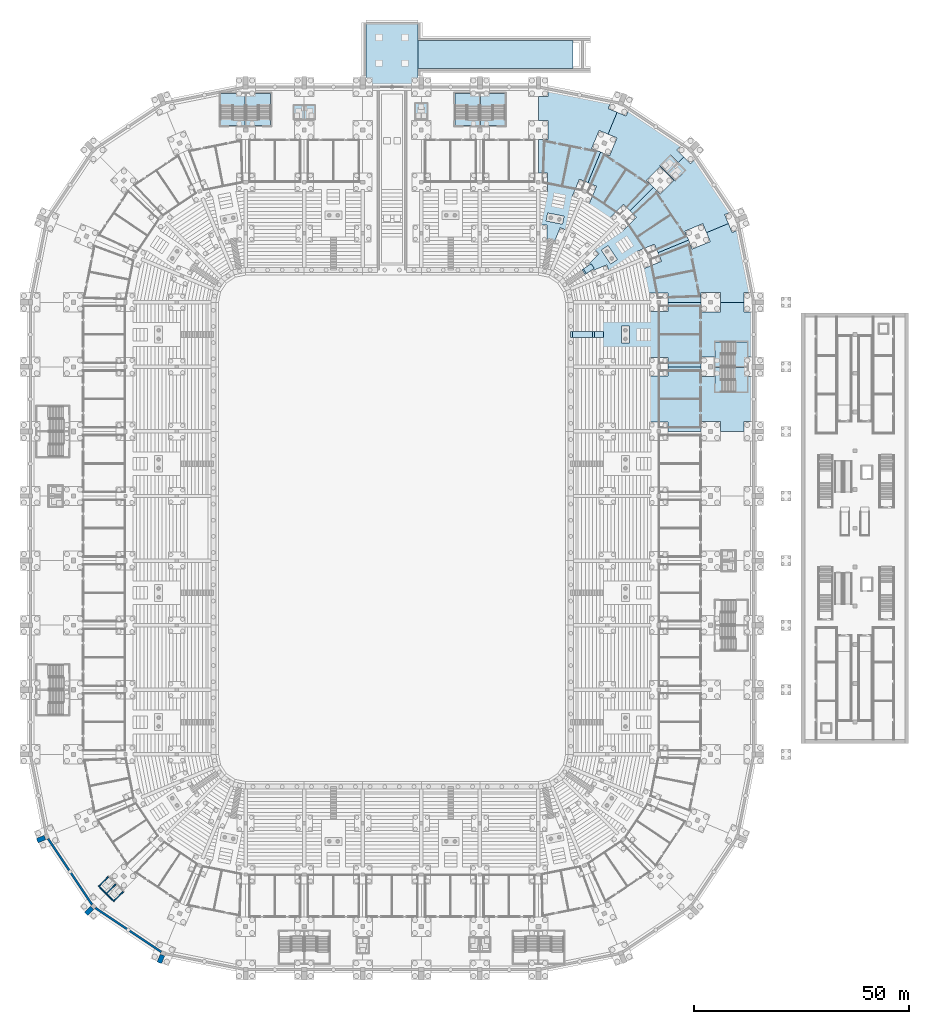
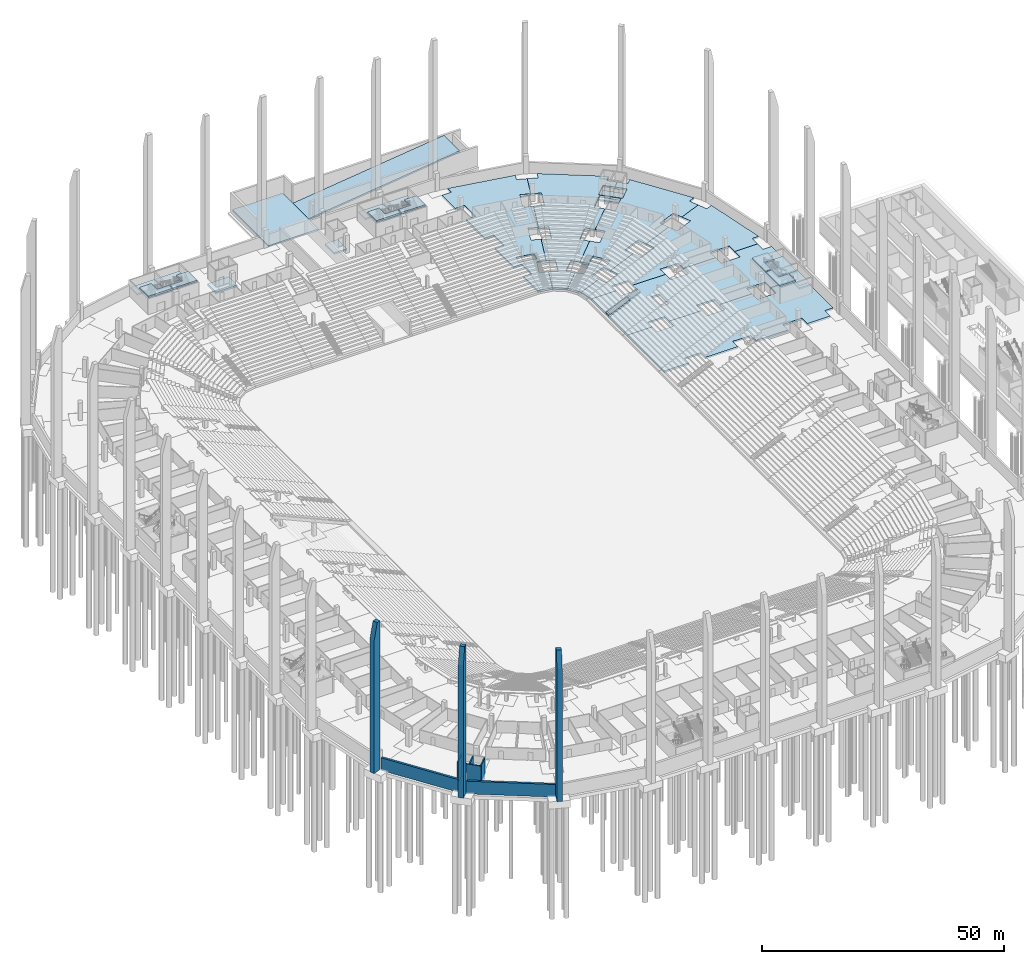
# One storey, part 20 of 115: 26 slabs, 9 walls, 6 elements without a shape of their own.
"""IFC4 building model written with IfcOpenShell, lengths in metres."""

from ifc_helpers import new_model, si_unit, direction, frame, frame_2d, origin, place, context, subcontext, project, spatial, polyline, rectangle, outline, extrude, material, layer, layer_set, type_object, element, aggregate, save


model = new_model("IFC4")

# Units and contexts
model_context = context("Model", 3, precision=1e-05, world=origin(), true_north=direction((0.0, 1.0)))
body_context = subcontext(model_context, "Body", "Model", "MODEL_VIEW")
ifc_project = project(units=[si_unit("LENGTHUNIT", "METRE"), si_unit("AREAUNIT", "SQUARE_METRE"), si_unit("VOLUMEUNIT", "CUBIC_METRE"), si_unit("PLANEANGLEUNIT", "RADIAN"), si_unit("MASSUNIT", "GRAM", prefix="KILO")], contexts=[model_context])

# Site, building, storey
site_placement = place(None, origin())
site = spatial("IfcSite", under=ifc_project, at=site_placement, CompositionType="ELEMENT")
building_placement = place(site_placement, origin())
building = spatial("IfcBuilding", under=site, at=building_placement, Name="Ogive Plaza Stadium", CompositionType="ELEMENT")
storey_placement = place(building_placement, frame((0.0, 0.0, -4.5)))
storey = spatial("IfcBuildingStorey", under=building, at=storey_placement, Name="B1", CompositionType="ELEMENT", Elevation=-4.5)

# Slabs
ifc_material_1 = material(Name="Concrete C40/50", Category="concrete")
ifc_layer_1 = layer(ifc_material_1, 0.75927734375)
ifc_layer_set_1 = layer_set([ifc_layer_1], Name="Concrete C40/50")
ifc_layer_2 = layer(ifc_material_1, 0.449951171875)
ifc_layer_set_2 = layer_set([ifc_layer_2], Name="Concrete C40/50")
slab_type_1 = type_object("IfcSlabType", Name="Aisle stair slab 1300", PredefinedType="USERDEFINED", material=ifc_layer_set_2)
slab_1_placement = place(storey_placement, frame((41.5, 45.0, 4.5), z_axis=(0.0, 0.0, 1.0), x_axis=(1.0, 0.0, 0.0)))
element("IfcSlab", 1, at=slab_1_placement, inside=storey, type_object=slab_type_1, material=ifc_layer_set_1, Name="Aisle stair SA01D slab 1", ObjectType="AISLE STAIR SLAB", PredefinedType="USERDEFINED", context=body_context, shape_type="SweptSolid", body=[
    extrude(outline(polyline([(0.0, -3.375), (0.37158203125, -3.375), (5.10009765625, -1.288818359375), (5.10009765625, -1.699951171875), (5.01220703125, -1.73876953125), (4.8623046875, -1.804931640625), (4.71240234375, -1.87109375), (4.562255859375, -1.937255859375), (4.412353515625, -2.00341796875), (4.26220703125, -2.069580078125), (4.1123046875, -2.1357421875), (3.96240234375, -2.201904296875), (3.812255859375, -2.26806640625), (3.662353515625, -2.334228515625), (3.51220703125, -2.400390625), (3.3623046875, -2.466552734375), (3.21240234375, -2.53271484375), (3.062255859375, -2.59912109375), (2.912353515625, -2.665283203125), (2.76220703125, -2.731201171875), (2.6123046875, -2.797607421875), (2.46240234375, -2.86376953125), (2.312255859375, -2.929931640625), (2.162353515625, -2.99609375), (2.01220703125, -3.062255859375), (1.8623046875, -3.12841796875), (1.71240234375, -3.194580078125), (1.562255859375, -3.2607421875), (1.412353515625, -3.326904296875), (1.26220703125, -3.39306640625), (1.1123046875, -3.459228515625), (0.96240234375, -3.525390625), (0.812255859375, -3.591552734375), (0.662353515625, -3.65771484375), (0.60009765625, -3.685302734375), (0.60009765625, -3.949951171875), (0.51220703125, -3.949951171875), (0.3623046875, -3.949951171875), (0.21240234375, -3.949951171875), (0.0, -3.375)])), frame((0.0, 0.64990234375, 0.0), z_axis=(0.0, -1.0, 0.0), x_axis=(1.0, 0.0, 0.0)), (0.0, 0.0, 1.0), 1.300048828125),
])
ifc_layer_3 = layer(ifc_material_1, 0.5380859375)
ifc_layer_set_3 = layer_set([ifc_layer_3], Name="Concrete C40/50")
for number, where, z_axis, x_axis, name in (
    (2, (46.60009765625, 45.0, 4.5), (0.0, 0.0, 1.0), (1.0, 0.0, 0.0), "Aisle stair SA01D slab 2"),
    (3, (44.4765625, 59.500244140625, 4.5), (0.0, 0.0, 1.0), (0.831469612303, 0.55557023302, 0.0), "Aisle stair SA39D slab 2"),
):
    element("IfcSlab", number, at=place(storey_placement, frame(where, z_axis=z_axis, x_axis=x_axis)), inside=storey, type_object=slab_type_1, material=ifc_layer_set_3, Name=name, ObjectType="AISLE STAIR SLAB", PredefinedType="USERDEFINED", context=body_context, shape_type="SweptSolid", body=[
        extrude(outline(polyline([(0.0, -1.125), (0.37158203125, -1.125), (2.550048828125, -0.163818359375), (2.550048828125, -0.574951171875), (2.39990234375, -0.64111328125), (2.25, -0.70751953125), (2.10009765625, -0.7734375), (1.949951171875, -0.839599609375), (1.800048828125, -0.906005859375), (1.64990234375, -0.97216796875), (1.5, -1.0380859375), (1.35009765625, -1.1044921875), (1.199951171875, -1.170654296875), (1.050048828125, -1.23681640625), (0.89990234375, -1.302978515625), (0.75, -1.369140625), (0.60009765625, -1.435302734375), (0.449951171875, -1.50146484375), (0.300048828125, -1.567626953125), (0.14990234375, -1.6337890625), (0.0, -1.699951171875), (0.0, -1.125)])), frame((0.0, 0.64990234375, 0.0), z_axis=(0.0, -1.0, 0.0), x_axis=(1.0, 0.0, 0.0)), (0.0, 0.0, 1.0), 1.300048828125),
    ])
ifc_material_2 = material(Name="Concrete C40/50", Category="concrete")
ifc_layer_4 = layer(ifc_material_2, 0.39990234375)
ifc_layer_set_4 = layer_set([ifc_layer_4], Name="Concrete C40/50")
slab_type_2 = type_object("IfcSlabType", Name="Lift pit slab", PredefinedType="BASESLAB", material=ifc_layer_set_4)
slab_2_placement = place(storey_placement, frame((0.0, 0.0, -1.610107421875)))
element("IfcSlab", 4, at=slab_2_placement, inside=storey, type_object=slab_type_2, Name="Lift pit slab LP33", PredefinedType="BASESLAB", context=body_context, shape_type="SweptSolid", body=[
    extrude(outline(polyline([(-17.824951171875, 94.89990234375), (-17.824951171875, 98.39990234375), (-22.97509765625, 98.39990234375), (-22.97509765625, 94.89990234375), (-17.824951171875, 94.89990234375)])), origin(), (0.0, 0.0, 1.0), 0.41015625),
])
slab_3_placement = place(storey_placement, frame((0.0, 0.0, -1.610107421875)))
element("IfcSlab", 5, at=slab_3_placement, inside=storey, type_object=slab_type_2, Name="Lift pit slab LS35", PredefinedType="BASESLAB", context=body_context, shape_type="SweptSolid", body=[
    extrude(outline(polyline([(8.35009765625, 94.89990234375), (8.35009765625, 98.800048828125), (5.25, 98.800048828125), (5.25, 94.89990234375), (8.35009765625, 94.89990234375)])), origin(), (0.0, 0.0, 1.0), 0.41015625),
])
slab_4_placement = place(storey_placement, frame((0.0, 0.0, -1.610107421875)))
element("IfcSlab", 6, at=slab_4_placement, inside=storey, type_object=slab_type_2, Name="Lift pit slab LP39", PredefinedType="BASESLAB", context=body_context, shape_type="SweptSolid", body=[
    extrude(outline(polyline([(65.80224609375, 80.66064453125), (68.277099609375, 83.135498046875), (64.635498046875, 86.777099609375), (62.16064453125, 84.30224609375), (65.80224609375, 80.66064453125)])), origin(), (0.0, 0.0, 1.0), 0.41015625),
])
ifc_material_3 = material(Name="Concrete C40/50", Category="concrete")
ifc_layer_5 = layer(ifc_material_3, 0.449951171875)
ifc_layer_set_5 = layer_set([ifc_layer_5], Name="Concrete C40/50")
slab_type_3 = type_object("IfcSlabType", Name="RC ground slab 450", PredefinedType="BASESLAB", material=ifc_layer_set_5)
slab_5_placement = place(storey_placement, frame((0.0, 0.0, -0.39990234375)))
element("IfcSlab", 7, at=slab_5_placement, inside=storey, type_object=slab_type_3, Name="Ground slab B1 B01", PredefinedType="BASESLAB", context=body_context, shape_type="SweptSolid", body=[
    extrude(outline(polyline([(48.050048828125, 37.5), (48.050048828125, 39.449951171875), (51.949951171875, 39.449951171875), (51.949951171875, 37.5), (59.75, 37.5), (59.75, 39.64990234375), (64.050048828125, 39.64990234375), (64.050048828125, 37.5), (71.75, 37.5), (71.75, 39.75), (76.25, 39.75), (76.25, 37.5), (81.75, 37.5), (81.75, 39.75), (83.75, 39.75), (83.75, 50.25), (81.75, 50.25), (81.75, 52.5), (76.25, 52.5), (76.25, 50.25), (71.75, 50.25), (71.75, 52.5), (64.050048828125, 52.5), (64.050048828125, 50.35009765625), (59.75, 50.35009765625), (59.75, 52.5), (51.949951171875, 52.5), (51.949951171875, 50.550048828125), (48.050048828125, 50.550048828125), (48.050048828125, 52.5), (42.10009765625, 52.5), (42.10009765625, 37.5), (48.050048828125, 37.5)]), holes=[polyline([(55.14990234375, 46.949951171875), (53.25, 46.949951171875), (53.25, 43.050048828125), (55.14990234375, 43.050048828125), (55.14990234375, 46.949951171875)])]), origin(), (0.0, 0.0, 1.0), 0.449951171875),
])
slab_6_placement = place(storey_placement, frame((0.0, 0.0, -0.39990234375)))
element("IfcSlab", 8, at=slab_6_placement, inside=storey, type_object=slab_type_3, Name="Ground slab B1 B02", PredefinedType="BASESLAB", context=body_context, shape_type="SweptSolid", body=[
    extrude(outline(polyline([(48.050048828125, 22.5), (48.050048828125, 24.449951171875), (51.949951171875, 24.449951171875), (51.949951171875, 22.5), (59.75, 22.5), (59.75, 24.64990234375), (64.050048828125, 24.64990234375), (64.050048828125, 22.5), (71.75, 22.5), (71.75, 24.75), (76.25, 24.75), (76.25, 22.5), (81.75, 22.5), (81.75, 24.75), (83.75, 24.75), (83.75, 35.25), (81.75, 35.25), (81.75, 37.5), (76.25, 37.5), (76.25, 35.25), (71.75, 35.25), (71.75, 37.5), (64.050048828125, 37.5), (64.050048828125, 35.35009765625), (59.75, 35.35009765625), (59.75, 37.5), (51.949951171875, 37.5), (51.949951171875, 35.550048828125), (48.050048828125, 35.550048828125), (48.050048828125, 37.5), (42.10009765625, 37.5), (42.10009765625, 22.5), (48.050048828125, 22.5)])), origin(), (0.0, 0.0, 1.0), 0.449951171875),
])
slab_7_placement = place(storey_placement, frame((0.0, 0.0, -0.39990234375)))
element("IfcSlab", 9, at=slab_7_placement, inside=storey, type_object=slab_type_3, Name="Ground slab B1 B37", PredefinedType="BASESLAB", context=body_context, shape_type="SweptSolid", body=[
    extrude(outline(polyline([(39.376708984375, 65.48046875), (37.5751953125, 66.226806640625), (39.067626953125, 69.829833984375), (40.869140625, 69.083740234375), (43.85400390625, 76.289794921875), (41.86767578125, 77.112548828125), (43.51318359375, 81.08544921875), (45.499755859375, 80.2626953125), (48.4462890625, 87.37646484375), (46.36767578125, 88.237548828125), (48.089599609375, 92.39501953125), (50.16845703125, 91.533935546875), (52.273193359375, 96.615234375), (50.1943359375, 97.476318359375), (50.78857421875, 98.91064453125), (36.25, 101.802490234375), (36.25, 100.25), (34.0, 100.25), (34.0, 94.75), (36.25, 94.75), (36.25, 90.25), (34.0, 90.25), (34.0, 82.550048828125), (36.14990234375, 82.550048828125), (36.14990234375, 78.25), (34.0, 78.25), (34.0, 70.449951171875), (35.949951171875, 70.449951171875), (35.949951171875, 66.550048828125), (34.0, 66.550048828125), (34.0, 60.60009765625), (37.099853515625, 59.9833984375), (39.376708984375, 65.48046875)]), holes=[polyline([(36.137939453125, 73.243408203125), (35.767333984375, 71.3798828125), (39.59228515625, 70.618896484375), (39.962890625, 72.482421875), (36.137939453125, 73.243408203125)])]), origin(), (0.0, 0.0, 1.0), 0.449951171875),
])
slab_8_placement = place(storey_placement, frame((0.0, 0.0, -0.39990234375)))
element("IfcSlab", 10, at=slab_8_placement, inside=storey, type_object=slab_type_3, Name="Ground slab B1 B38", PredefinedType="BASESLAB", context=body_context, shape_type="SweptSolid", body=[
    extrude(outline(polyline([(43.934814453125, 62.434814453125), (42.555908203125, 63.813720703125), (45.313720703125, 66.571533203125), (46.692626953125, 65.192626953125), (52.2080078125, 70.7080078125), (50.687744140625, 72.228271484375), (53.728271484375, 75.268798828125), (55.24853515625, 73.74853515625), (60.693359375, 79.193359375), (59.102294921875, 80.7841796875), (62.2841796875, 83.96630859375), (63.875244140625, 82.375244140625), (63.9814453125, 82.4814453125), (62.16064453125, 84.30224609375), (64.635498046875, 86.777099609375), (66.456298828125, 84.956298828125), (67.764404296875, 86.264404296875), (66.17333984375, 87.855224609375), (67.27099609375, 88.953125), (54.946044921875, 97.1884765625), (54.351806640625, 95.754150390625), (52.273193359375, 96.615234375), (50.16845703125, 91.533935546875), (52.2470703125, 90.6728515625), (50.525146484375, 86.515380859375), (48.4462890625, 87.37646484375), (45.499755859375, 80.2626953125), (47.486083984375, 79.439697265625), (45.84033203125, 75.467041015625), (43.85400390625, 76.289794921875), (40.869140625, 69.083740234375), (42.670654296875, 68.33740234375), (41.17822265625, 64.734375), (39.376708984375, 65.48046875), (37.099853515625, 59.9833984375), (39.7275390625, 58.2275390625), (43.934814453125, 62.434814453125)])), origin(), (0.0, 0.0, 1.0), 0.449951171875),
])
slab_9_placement = place(storey_placement, frame((0.0, 0.0, -0.39990234375)))
element("IfcSlab", 11, at=slab_9_placement, inside=storey, type_object=slab_type_3, Name="Ground slab B1 B39", PredefinedType="BASESLAB", context=body_context, shape_type="SweptSolid", body=[
    extrude(outline(polyline([(46.98046875, 57.876708984375), (46.234375, 59.67822265625), (49.83740234375, 61.170654296875), (50.583740234375, 59.369140625), (57.789794921875, 62.35400390625), (56.967041015625, 64.34033203125), (60.939697265625, 65.986083984375), (61.7626953125, 63.999755859375), (68.87646484375, 66.9462890625), (68.015380859375, 69.025146484375), (72.1728515625, 70.7470703125), (73.033935546875, 68.66845703125), (78.115234375, 70.773193359375), (77.254150390625, 72.851806640625), (78.6884765625, 73.446044921875), (70.453125, 85.77099609375), (69.355224609375, 84.67333984375), (67.764404296875, 86.264404296875), (66.456298828125, 84.956298828125), (68.277099609375, 83.135498046875), (65.80224609375, 80.66064453125), (63.9814453125, 82.4814453125), (63.875244140625, 82.375244140625), (65.46630859375, 80.7841796875), (62.2841796875, 77.602294921875), (60.693359375, 79.193359375), (55.24853515625, 73.74853515625), (56.768798828125, 72.228271484375), (53.728271484375, 69.187744140625), (52.2080078125, 70.7080078125), (46.692626953125, 65.192626953125), (48.071533203125, 63.813720703125), (45.313720703125, 61.055908203125), (43.934814453125, 62.434814453125), (39.7275390625, 58.2275390625), (41.4833984375, 55.599853515625), (46.98046875, 57.876708984375)]), holes=[polyline([(50.179443359375, 65.656005859375), (48.599609375, 64.600341796875), (50.766357421875, 61.357666015625), (52.34619140625, 62.413330078125), (50.179443359375, 65.656005859375)])]), origin(), (0.0, 0.0, 1.0), 0.449951171875),
])
slab_10_placement = place(storey_placement, frame((0.0, 0.0, -0.39990234375)))
element("IfcSlab", 12, at=slab_10_placement, inside=storey, type_object=slab_type_3, Name="Ground slab B1 B40", PredefinedType="BASESLAB", context=body_context, shape_type="SweptSolid", body=[
    extrude(outline(polyline([(48.050048828125, 52.5), (48.050048828125, 54.449951171875), (51.949951171875, 54.449951171875), (51.949951171875, 52.5), (59.75, 52.5), (59.75, 54.64990234375), (64.050048828125, 54.64990234375), (64.050048828125, 52.5), (71.75, 52.5), (71.75, 54.75), (76.25, 54.75), (76.25, 52.5), (81.75, 52.5), (81.75, 54.75), (83.302490234375, 54.75), (80.41064453125, 69.28857421875), (78.976318359375, 68.6943359375), (78.115234375, 70.773193359375), (73.033935546875, 68.66845703125), (73.89501953125, 66.589599609375), (69.737548828125, 64.86767578125), (68.87646484375, 66.9462890625), (61.7626953125, 63.999755859375), (62.58544921875, 62.01318359375), (58.612548828125, 60.36767578125), (57.789794921875, 62.35400390625), (50.583740234375, 59.369140625), (51.329833984375, 57.567626953125), (47.726806640625, 56.0751953125), (46.98046875, 57.876708984375), (41.4833984375, 55.599853515625), (42.10009765625, 52.5), (48.050048828125, 52.5)])), origin(), (0.0, 0.0, 1.0), 0.449951171875),
])
ifc_material_4 = material(Name="Concrete C35/45", Category="concrete")
ifc_layer_6 = layer(ifc_material_4, 0.39990234375)
ifc_layer_set_6 = layer_set([ifc_layer_6], Name="Concrete C35/45")
slab_type_4 = type_object("IfcSlabType", Name="Service ramp slab 400", PredefinedType="USERDEFINED", material=ifc_layer_set_6)
slab_11_placement = place(storey_placement, frame((6.0, 106.75, 0.0), z_axis=(-0.124034734589, 0.0, 0.992277876714), x_axis=(0.0, 1.0, 0.0)))
element("IfcSlab", 13, at=slab_11_placement, inside=storey, type_object=slab_type_4, Name="Service ramp slab", ObjectType="VEHICLE RAMP SLAB", PredefinedType="USERDEFINED", context=body_context, shape_type="SweptSolid", body=[
    extrude(outline(polyline([(0.0, 0.0), (6.5, 0.0), (6.5, -36.28015986734347), (0.0, -36.28015986734347), (0.0, 0.0)])), origin(), (0.0, 0.0, -1.0), 0.39990234375),
])
ifc_material_5 = material(Name="Concrete C35/45", Category="concrete")
ifc_layer_7 = layer(ifc_material_5, 0.39990234375)
ifc_layer_set_7 = layer_set([ifc_layer_7], Name="Concrete C35/45")
slab_type_5 = type_object("IfcSlabType", Name="Service yard slab 400", PredefinedType="BASESLAB", material=ifc_layer_set_7)
slab_12_placement = place(storey_placement, frame((0.0, 0.0, -0.39990234375)))
element("IfcSlab", 14, at=slab_12_placement, inside=storey, type_object=slab_type_5, Name="Service yard slab", PredefinedType="BASESLAB", context=body_context, shape_type="SweptSolid", body=[
    extrude(outline(polyline([(-6.0, 102.5), (6.0, 102.5), (6.0, 117.5), (-6.0, 117.5), (-6.0, 102.5)])), origin(), (0.0, 0.0, 1.0), 0.39990234375),
])

# Stair, slabs
ifc_material_6 = material(Name="Concrete C40/50", Category="concrete")
stair_type = type_object("IfcStairType", Name="Exit stair", PredefinedType="STRAIGHT_RUN_STAIR", material=ifc_material_6)
stair_1_placement = place(storey_placement, origin())
stair_1 = element("IfcStair", 15, at=stair_1_placement, inside=storey, type_object=stair_type, Name="Exit stair ST02A B1 to L00", PredefinedType="STRAIGHT_RUN_STAIR")
ifc_material_7 = material(Name="Concrete C40/50", Category="concrete")
ifc_layer_8 = layer(ifc_material_7, 0.39990234375)
ifc_layer_set_8 = layer_set([ifc_layer_8], Name="Concrete C40/50")
slab_type_6 = type_object("IfcSlabType", Name="Stair landing", PredefinedType="LANDING", material=ifc_layer_set_8)
slab_13_placement = place(storey_placement, frame((0.0, 0.0, 1.85009765625)))
slab_13 = element("IfcSlab", 16, at=slab_13_placement, type_object=slab_type_6, Name="ST02A landing 1", PredefinedType="LANDING", context=body_context, shape_type="SweptSolid", body=[
    extrude(outline(polyline([(82.510009765625, 37.375), (82.510009765625, 31.675048828125), (79.7099609375, 31.675048828125), (79.7099609375, 34.574951171875), (77.31005859375, 34.574951171875), (77.31005859375, 37.375), (79.7099609375, 37.375), (82.510009765625, 37.375)])), origin(), (0.0, 0.0, 1.0), 0.39990234375),
])
slab_14_placement = place(storey_placement, frame((0.0, 0.0, 4.10009765625)))
slab_14 = element("IfcSlab", 17, at=slab_14_placement, type_object=slab_type_6, Name="ST02A landing 2", PredefinedType="LANDING", context=body_context, shape_type="SweptSolid", body=[
    extrude(outline(polyline([(78.75, 34.47509765625), (78.75, 31.675048828125), (76.35009765625, 31.675048828125), (75.050048828125, 31.675048828125), (75.050048828125, 37.375), (76.35009765625, 37.375), (76.35009765625, 34.47509765625), (78.75, 34.47509765625)])), origin(), (0.0, 0.0, 1.0), 0.39990234375),
])
aggregate(stair_1, [slab_13, slab_14])

stair_2_placement = place(storey_placement, origin())
stair_2 = element("IfcStair", 18, at=stair_2_placement, inside=storey, type_object=stair_type, Name="Exit stair ST02B B1 to L00", PredefinedType="STRAIGHT_RUN_STAIR")
slab_15_placement = place(storey_placement, frame((0.0, 0.0, 1.85009765625)))
slab_15 = element("IfcSlab", 19, at=slab_15_placement, type_object=slab_type_6, Name="ST02B landing 1", PredefinedType="LANDING", context=body_context, shape_type="SweptSolid", body=[
    extrude(outline(polyline([(77.31005859375, 37.625), (77.31005859375, 40.425048828125), (79.7099609375, 40.425048828125), (79.7099609375, 43.324951171875), (82.510009765625, 43.324951171875), (82.510009765625, 37.625), (79.7099609375, 37.625), (77.31005859375, 37.625)])), origin(), (0.0, 0.0, 1.0), 0.39990234375),
])
slab_16_placement = place(storey_placement, frame((0.0, 0.0, 4.10009765625)))
slab_16 = element("IfcSlab", 20, at=slab_16_placement, type_object=slab_type_6, Name="ST02B landing 2", PredefinedType="LANDING", context=body_context, shape_type="SweptSolid", body=[
    extrude(outline(polyline([(76.35009765625, 37.625), (75.050048828125, 37.625), (75.050048828125, 43.324951171875), (76.35009765625, 43.324951171875), (78.75, 43.324951171875), (78.75, 40.52490234375), (76.35009765625, 40.52490234375), (76.35009765625, 37.625)])), origin(), (0.0, 0.0, 1.0), 0.39990234375),
])
aggregate(stair_2, [slab_15, slab_16])

stair_3_placement = place(storey_placement, origin())
stair_3 = element("IfcStair", 21, at=stair_3_placement, inside=storey, type_object=stair_type, Name="Exit stair ST32A B1 to L00", PredefinedType="STRAIGHT_RUN_STAIR")
slab_17_placement = place(storey_placement, frame((0.0, 0.0, 1.85009765625)))
slab_17 = element("IfcSlab", 22, at=slab_17_placement, type_object=slab_type_6, Name="ST32A landing 1", PredefinedType="LANDING", context=body_context, shape_type="SweptSolid", body=[
    extrude(outline(polyline([(-33.875, 101.010009765625), (-28.175048828125, 101.010009765625), (-28.175048828125, 98.2099609375), (-31.074951171875, 98.2099609375), (-31.074951171875, 95.81005859375), (-33.875, 95.81005859375), (-33.875, 98.2099609375), (-33.875, 101.010009765625)])), origin(), (0.0, 0.0, 1.0), 0.39990234375),
])
slab_18_placement = place(storey_placement, frame((0.0, 0.0, 4.10009765625)))
slab_18 = element("IfcSlab", 23, at=slab_18_placement, type_object=slab_type_6, Name="ST32A landing 2", PredefinedType="LANDING", context=body_context, shape_type="SweptSolid", body=[
    extrude(outline(polyline([(-30.97509765625, 97.25), (-28.175048828125, 97.25), (-28.175048828125, 94.85009765625), (-28.175048828125, 93.550048828125), (-33.875, 93.550048828125), (-33.875, 94.85009765625), (-30.97509765625, 94.85009765625), (-30.97509765625, 97.25)])), origin(), (0.0, 0.0, 1.0), 0.39990234375),
])
aggregate(stair_3, [slab_17, slab_18])

stair_4_placement = place(storey_placement, origin())
stair_4 = element("IfcStair", 24, at=stair_4_placement, inside=storey, type_object=stair_type, Name="Exit stair ST32B B1 to L00", PredefinedType="STRAIGHT_RUN_STAIR")
slab_19_placement = place(storey_placement, frame((0.0, 0.0, 1.85009765625)))
slab_19 = element("IfcSlab", 25, at=slab_19_placement, type_object=slab_type_6, Name="ST32B landing 1", PredefinedType="LANDING", context=body_context, shape_type="SweptSolid", body=[
    extrude(outline(polyline([(-34.125, 95.81005859375), (-36.925048828125, 95.81005859375), (-36.925048828125, 98.2099609375), (-39.824951171875, 98.2099609375), (-39.824951171875, 101.010009765625), (-34.125, 101.010009765625), (-34.125, 98.2099609375), (-34.125, 95.81005859375)])), origin(), (0.0, 0.0, 1.0), 0.39990234375),
])
slab_20_placement = place(storey_placement, frame((0.0, 0.0, 4.10009765625)))
slab_20 = element("IfcSlab", 26, at=slab_20_placement, type_object=slab_type_6, Name="ST32B landing 2", PredefinedType="LANDING", context=body_context, shape_type="SweptSolid", body=[
    extrude(outline(polyline([(-34.125, 94.85009765625), (-34.125, 93.550048828125), (-39.824951171875, 93.550048828125), (-39.824951171875, 94.85009765625), (-39.824951171875, 97.25), (-37.02490234375, 97.25), (-37.02490234375, 94.85009765625), (-34.125, 94.85009765625)])), origin(), (0.0, 0.0, 1.0), 0.39990234375),
])
aggregate(stair_4, [slab_19, slab_20])

stair_5_placement = place(storey_placement, origin())
stair_5 = element("IfcStair", 27, at=stair_5_placement, inside=storey, type_object=stair_type, Name="Exit stair ST36A B1 to L00", PredefinedType="STRAIGHT_RUN_STAIR")
slab_21_placement = place(storey_placement, frame((0.0, 0.0, 1.85009765625)))
slab_21 = element("IfcSlab", 28, at=slab_21_placement, type_object=slab_type_6, Name="ST36A landing 1", PredefinedType="LANDING", context=body_context, shape_type="SweptSolid", body=[
    extrude(outline(polyline([(20.52490234375, 101.010009765625), (26.22509765625, 101.010009765625), (26.22509765625, 98.2099609375), (23.324951171875, 98.2099609375), (23.324951171875, 95.81005859375), (20.52490234375, 95.81005859375), (20.52490234375, 98.2099609375), (20.52490234375, 101.010009765625)])), origin(), (0.0, 0.0, 1.0), 0.39990234375),
])
slab_22_placement = place(storey_placement, frame((0.0, 0.0, 4.10009765625)))
slab_22 = element("IfcSlab", 29, at=slab_22_placement, type_object=slab_type_6, Name="ST36A landing 2", PredefinedType="LANDING", context=body_context, shape_type="SweptSolid", body=[
    extrude(outline(polyline([(23.425048828125, 97.25), (26.22509765625, 97.25), (26.22509765625, 94.85009765625), (26.22509765625, 93.550048828125), (20.52490234375, 93.550048828125), (20.52490234375, 94.85009765625), (23.425048828125, 94.85009765625), (23.425048828125, 97.25)])), origin(), (0.0, 0.0, 1.0), 0.39990234375),
])
aggregate(stair_5, [slab_21, slab_22])

stair_6_placement = place(storey_placement, origin())
stair_6 = element("IfcStair", 30, at=stair_6_placement, inside=storey, type_object=stair_type, Name="Exit stair ST36B B1 to L00", PredefinedType="STRAIGHT_RUN_STAIR")
slab_23_placement = place(storey_placement, frame((0.0, 0.0, 1.85009765625)))
slab_23 = element("IfcSlab", 31, at=slab_23_placement, type_object=slab_type_6, Name="ST36B landing 1", PredefinedType="LANDING", context=body_context, shape_type="SweptSolid", body=[
    extrude(outline(polyline([(20.27490234375, 95.81005859375), (17.47509765625, 95.81005859375), (17.47509765625, 98.2099609375), (14.574951171875, 98.2099609375), (14.574951171875, 101.010009765625), (20.27490234375, 101.010009765625), (20.27490234375, 98.2099609375), (20.27490234375, 95.81005859375)])), origin(), (0.0, 0.0, 1.0), 0.39990234375),
])
slab_24_placement = place(storey_placement, frame((0.0, 0.0, 4.10009765625)))
slab_24 = element("IfcSlab", 32, at=slab_24_placement, type_object=slab_type_6, Name="ST36B landing 2", PredefinedType="LANDING", context=body_context, shape_type="SweptSolid", body=[
    extrude(outline(polyline([(20.27490234375, 94.85009765625), (20.27490234375, 93.550048828125), (14.574951171875, 93.550048828125), (14.574951171875, 94.85009765625), (14.574951171875, 97.25), (17.375, 97.25), (17.375, 94.85009765625), (20.27490234375, 94.85009765625)])), origin(), (0.0, 0.0, 1.0), 0.39990234375),
])
aggregate(stair_6, [slab_23, slab_24])

# Walls
ifc_material_8 = material(Name="Concrete C45/55 precast", Category="concrete")
ifc_layer_9 = layer(ifc_material_8, 1.050048828125)
ifc_material_9 = material(Name="Cast stone (reconstituted limestone)", Category="masonry")
ifc_layer_10 = layer(ifc_material_9, 0.050048828125)
ifc_layer_set_9 = layer_set([ifc_layer_9, ifc_layer_10], Name="Concrete C45/55 precast, cast stone facing")
wall_type_1 = type_object("IfcWallType", Name="Buttress pier 1100", PredefinedType="SOLIDWALL", material=ifc_layer_set_9)
wall_1_placement = place(storey_placement, frame((-53.306396484375, -99.109619140625, 0.0), z_axis=(0.0, 0.0, 1.0), x_axis=(-0.38258767561, -0.923919190445, 0.0)))
element("IfcWall", 33, at=wall_1_placement, inside=storey, type_object=wall_type_1, Name="BUTTRESS PIER R18", PredefinedType="SOLIDWALL", context=body_context, shape_type="SweptSolid", body=[
    extrude(outline(polyline([(0.0, 0.0), (1.9501953125, 0.0), (1.949951171875, 33.5), (0.89990234375, 37.5), (0.0, 37.5), (0.0, 0.0)])), frame((0.0, 0.550048828125, 0.0), z_axis=(0.0, -1.0, 0.0), x_axis=(1.0, 0.0, 0.0)), (0.0, 0.0, 1.0), 1.10009765625),
])
wall_2_placement = place(storey_placement, frame((-69.673583984375, -88.173583984375, 0.0), z_axis=(0.0, 0.0, 1.0), x_axis=(-0.707106781187, -0.707106781187, 0.0)))
element("IfcWall", 34, at=wall_2_placement, inside=storey, type_object=wall_type_1, Name="BUTTRESS PIER R19", PredefinedType="SOLIDWALL", context=body_context, shape_type="SweptSolid", body=[
    extrude(outline(polyline([(0.0, 0.0), (1.949951171875, 0.0), (1.949951171875, 33.5), (0.89990234375, 37.5), (0.0, 37.5), (0.0, 0.0)])), frame((0.0, 0.550048828125, 0.0), z_axis=(0.0, -1.0, 0.0), x_axis=(1.0, 0.0, 0.0)), (0.0, 0.0, 1.0), 1.10009765625),
])
wall_3_placement = place(storey_placement, frame((-80.609619140625, -71.806396484375, 0.0), z_axis=(0.0, 0.0, 1.0), x_axis=(-0.923919190445, -0.38258767561, 0.0)))
element("IfcWall", 35, at=wall_3_placement, inside=storey, type_object=wall_type_1, Name="BUTTRESS PIER R20", PredefinedType="SOLIDWALL", context=body_context, shape_type="SweptSolid", body=[
    extrude(outline(polyline([(0.0, 0.0), (1.9501953125, 0.0), (1.949951171875, 33.5), (0.89990234375, 37.5), (0.0, 37.5), (0.0, 0.0)])), frame((0.0, 0.550048828125, 0.0), z_axis=(0.0, -1.0, 0.0), x_axis=(1.0, 0.0, 0.0)), (0.0, 0.0, 1.0), 1.10009765625),
])
ifc_material_10 = material(Name="Concrete C40/50", Category="concrete")
ifc_layer_11 = layer(ifc_material_10, 0.25)
ifc_layer_set_10 = layer_set([ifc_layer_11], Name="Concrete C40/50")
wall_type_2 = type_object("IfcWallType", Name="Core wall 250 A", PredefinedType="SHEAR", material=ifc_layer_set_10)
wall_4_placement = place(storey_placement, frame((-68.188720703125, -83.047119140625, -1.199951171875), z_axis=(0.0, 0.0, 1.0), x_axis=(0.707106781187, -0.707106781187, 0.0)))
element("IfcWall", 36, at=wall_4_placement, inside=storey, type_object=wall_type_2, Name="Lift core LP19 rear wall", PredefinedType="SHEAR", context=body_context, shape_type="SweptSolid", body=[
    extrude(rectangle(XDim=5.14990234375, YDim=0.25, at=frame_2d((2.574951171875, 0.0))), origin(), (0.0, 0.0, 1.0), 5.2900390625),
])
for number, where, z_axis, x_axis, name in (
    (37, (-65.890625, -80.92578125, -1.199951171875), (0.0, 0.0, 1.0), (-0.707066087907, -0.707147472125, 0.0), "Lift core LP19 side wall"),
    (38, (-62.42578125, -84.390625, -1.199951171875), (0.0, 0.0, 1.0), (-0.707147472125, -0.707066087907, 0.0), "Lift core LP19 side wall"),
):
    element("IfcWall", number, at=place(storey_placement, frame(where, z_axis=z_axis, x_axis=x_axis)), inside=storey, type_object=wall_type_2, Name=name, PredefinedType="SHEAR", context=body_context, shape_type="SweptSolid", body=[
        extrude(rectangle(XDim=2.999755859375, YDim=0.25, at=frame_2d((1.5, 0.0))), origin(), (0.0, 0.0, 1.0), 5.2900390625),
    ])
wall_5_placement = place(storey_placement, frame((-64.158203125, -82.658203125, -1.199951171875), z_axis=(0.0, 0.0, 1.0), x_axis=(-0.707106781187, -0.707106781187, 0.0)))
element("IfcWall", 39, at=wall_5_placement, inside=storey, type_object=wall_type_2, Name="Lift core LP19 centre wall", PredefinedType="SHEAR", context=body_context, shape_type="SweptSolid", body=[
    extrude(rectangle(XDim=3.0, YDim=0.25, at=frame_2d((1.5, 0.0))), origin(), (0.0, 0.0, 1.0), 5.2900390625),
])
ifc_material_11 = material(Name="Concrete C40/50", Category="concrete")
ifc_layer_12 = layer(ifc_material_11, 0.5)
ifc_layer_set_11 = layer_set([ifc_layer_12], Name="Concrete C40/50")
wall_type_3 = type_object("IfcWallType", Name="RC retaining wall 500 A", PredefinedType="SOLIDWALL", material=ifc_layer_set_11)
wall_6_placement = place(storey_placement, frame((0.0, 0.0, -0.39990234375)))
element("IfcWall", 40, at=wall_6_placement, inside=storey, type_object=wall_type_3, Name="Retaining wall B18", PredefinedType="SOLIDWALL", context=body_context, shape_type="SweptSolid", body=[
    extrude(outline(polyline([(-68.71240234375, -87.989990234375), (-69.06591796875, -88.34375), (-53.696044921875, -98.61328125), (-53.5048828125, -98.1513671875), (-68.71240234375, -87.989990234375)])), origin(), (0.0, 0.0, 1.0), 3.18994140625),
])
wall_7_placement = place(storey_placement, frame((0.0, 0.0, -0.39990234375)))
element("IfcWall", 41, at=wall_7_placement, inside=storey, type_object=wall_type_3, Name="Retaining wall B19", PredefinedType="SOLIDWALL", context=body_context, shape_type="SweptSolid", body=[
    extrude(outline(polyline([(-79.6513671875, -72.0048828125), (-80.11328125, -72.196044921875), (-69.84375, -87.56591796875), (-69.489990234375, -87.21240234375), (-79.6513671875, -72.0048828125)])), origin(), (0.0, 0.0, 1.0), 3.18994140625),
])

save(model, "model.ifc")
